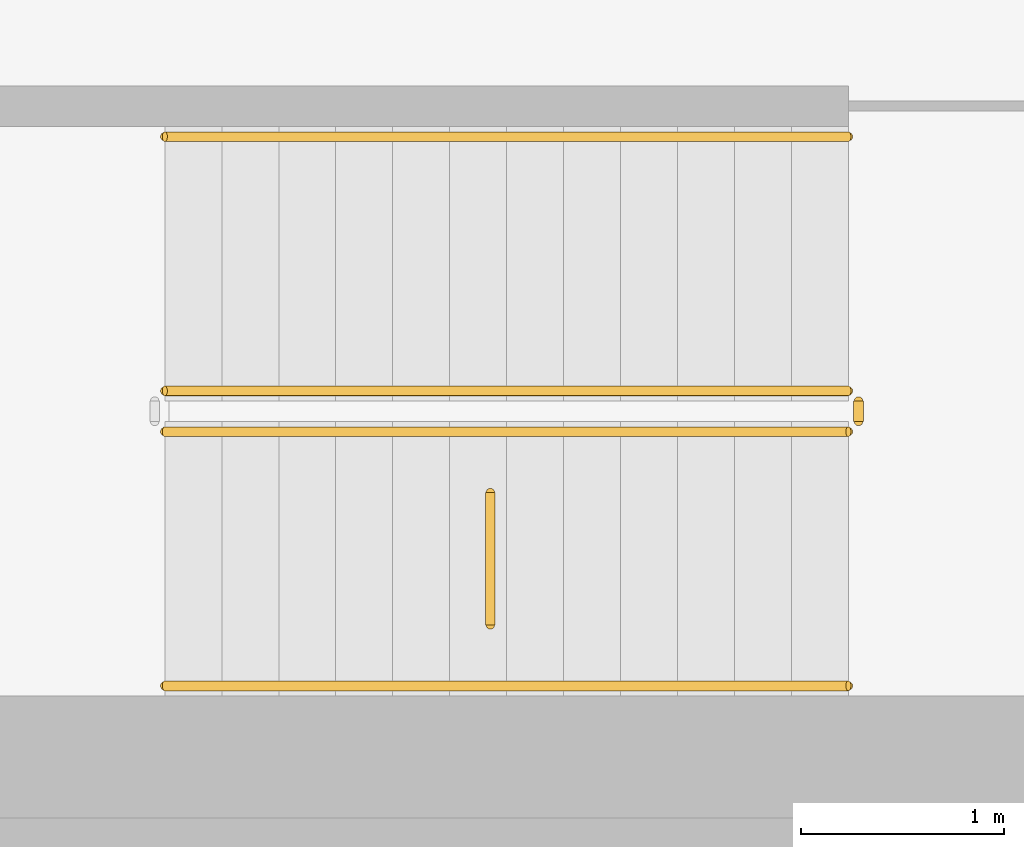
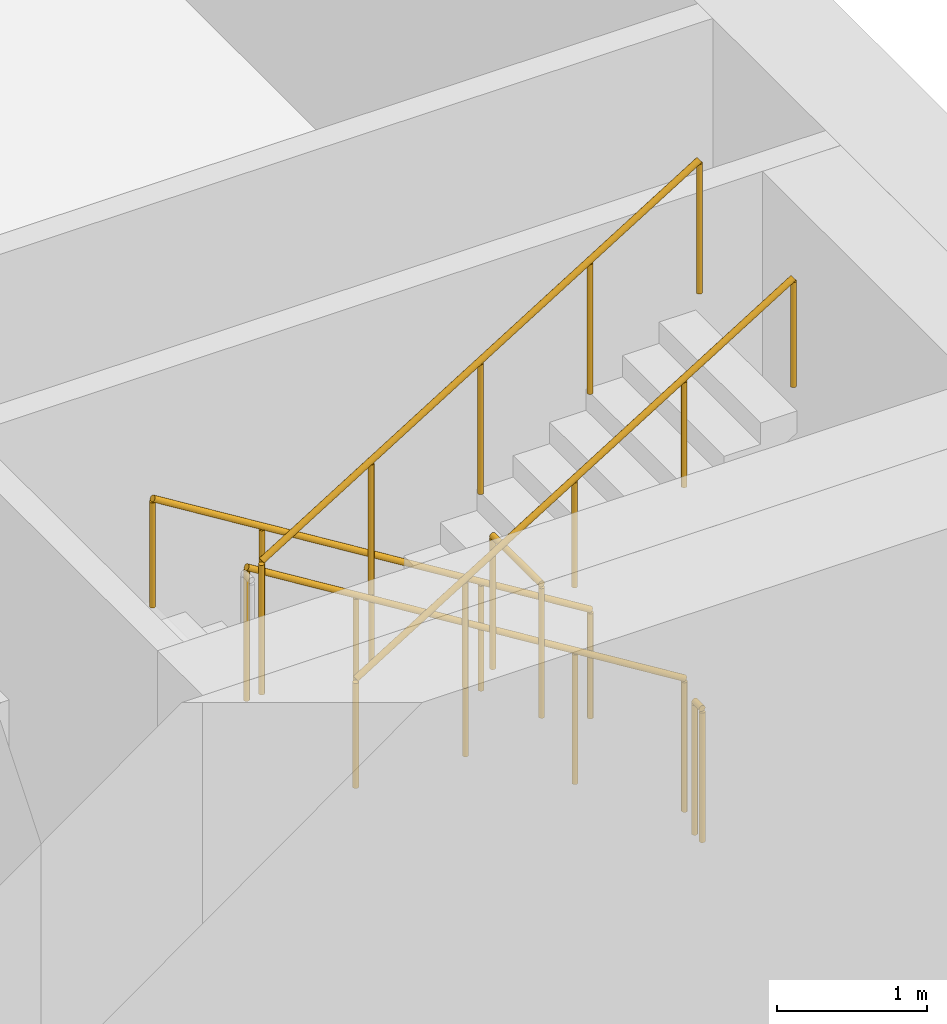
# One storey, part 21 of 25: 6 railings.
"""IFC4 building model written with IfcOpenShell, lengths in metres."""

from ifc_helpers import new_model, si_unit, direction, frame, origin, origin_2d, place, context, subcontext, project, spatial, circle, extrude, material, type_object, element, save


model = new_model("IFC4")

# Units and contexts
model_context = context("Model", 3, precision=1e-05, world=origin(), true_north=direction((0.0, 1.0)))
body_context = subcontext(model_context, "Body", "Model", "MODEL_VIEW")
ifc_project = project(units=[si_unit("LENGTHUNIT", "METRE"), si_unit("AREAUNIT", "SQUARE_METRE"), si_unit("VOLUMEUNIT", "CUBIC_METRE"), si_unit("PLANEANGLEUNIT", "RADIAN"), si_unit("MASSUNIT", "GRAM", prefix="KILO")], contexts=[model_context])

# Site, building, storey
site_placement = place(None, origin())
site = spatial("IfcSite", under=ifc_project, at=site_placement, CompositionType="ELEMENT")
building_placement = place(site_placement, origin())
building = spatial("IfcBuilding", under=site, at=building_placement, Name="Stone Belt Terrace Tower", CompositionType="ELEMENT")
storey_placement = place(building_placement, frame((0.0, 0.0, -13.5)))
storey = spatial("IfcBuildingStorey", under=building, at=storey_placement, Name="B3", CompositionType="ELEMENT", Elevation=-13.5)

# Railings
ifc_material_1 = material(Name="Structural steel C345", Category="steel")
railing_type_1 = type_object("IfcRailingType", Name="Car park guard 1100", PredefinedType="GUARDRAIL", material=ifc_material_1)
railing_1_placement = place(storey_placement, frame((30.75, -48.60009765625, 0.173095703125)))
element("IfcRailing", 1, at=railing_1_placement, inside=storey, type_object=railing_type_1, Name="B3 CS2 stair guard 1", PredefinedType="GUARDRAIL", context=body_context, shape_type="SweptSolid", body=[
    extrude(circle(Radius=0.02392578125, at=origin_2d()), frame((0.0, 0.0, 1.076171875), z_axis=(-0.850623216509, 0.0, 0.525775754039), x_axis=(0.0, -1.0, 0.0)), (0.0, 0.0, 1.0), 3.9501953125),
    extrude(circle(Radius=0.02099609375, at=origin_2d()), origin(), (0.0, 0.0, 1.0), 1.052001953125),
    extrude(circle(Radius=0.02099609375, at=origin_2d()), frame((-0.840087890625, 0.0, 0.519287109375)), (0.0, 0.0, 1.0), 1.052001953125),
    extrude(circle(Radius=0.02099609375, at=origin_2d()), frame((-1.68017578125, 0.0, 1.03857421875)), (0.0, 0.0, 1.0), 1.052001953125),
    extrude(circle(Radius=0.02099609375, at=origin_2d()), frame((-2.52001953125, 0.0, 1.5576171875)), (0.0, 0.0, 1.0), 1.052001953125),
    extrude(circle(Radius=0.02099609375, at=origin_2d()), frame((-3.360107421875, 0.0, 2.076904296875)), (0.0, 0.0, 1.0), 1.052001953125),
])
railing_2_placement = place(storey_placement, frame((27.389892578125, -48.800048828125, 2.423095703125)))
element("IfcRailing", 2, at=railing_2_placement, inside=storey, type_object=railing_type_1, Name="B3 CS2 stair guard 3", PredefinedType="GUARDRAIL", context=body_context, shape_type="SweptSolid", body=[
    extrude(circle(Radius=0.02392578125, at=origin_2d()), frame((0.0, 0.0, 1.076171875), z_axis=(0.850623216509, 0.0, 0.525775754039), x_axis=(0.0, 1.0, 0.0)), (0.0, 0.0, 1.0), 3.9501953125),
    extrude(circle(Radius=0.02099609375, at=origin_2d()), origin(), (0.0, 0.0, 1.0), 1.052001953125),
    extrude(circle(Radius=0.02099609375, at=origin_2d()), frame((0.840087890625, 0.0, 0.519287109375)), (0.0, 0.0, 1.0), 1.052001953125),
    extrude(circle(Radius=0.02099609375, at=origin_2d()), frame((1.68017578125, 0.0, 1.03857421875)), (0.0, 0.0, 1.0), 1.052001953125),
    extrude(circle(Radius=0.02099609375, at=origin_2d()), frame((2.52001953125, 0.0, 1.5576171875)), (0.0, 0.0, 1.0), 1.052001953125),
    extrude(circle(Radius=0.02099609375, at=origin_2d()), frame((3.360107421875, 0.0, 2.076904296875)), (0.0, 0.0, 1.0), 1.052001953125),
])
railing_3_placement = place(storey_placement, frame((30.800048828125, -48.64990234375, 0.0)))
element("IfcRailing", 3, at=railing_3_placement, inside=storey, type_object=railing_type_1, Name="B3 CS2 stair guard 4", PredefinedType="GUARDRAIL", context=body_context, shape_type="SweptSolid", body=[
    extrude(circle(Radius=0.02392578125, at=origin_2d()), frame((0.0, 0.0, 1.076171875), z_axis=(0.0, -1.0, 0.0), x_axis=(1.0, 0.0, 0.0)), (0.0, 0.0, 1.0), 0.10009765625),
    extrude(circle(Radius=0.02099609375, at=origin_2d()), origin(), (0.0, 0.0, 1.0), 1.052001953125),
    extrude(circle(Radius=0.02099609375, at=origin_2d()), frame((0.0, -0.10009765625, 0.0)), (0.0, 0.0, 1.0), 1.052001953125),
])
railing_4_placement = place(storey_placement, frame((28.989990234375, -49.75, 2.25)))
element("IfcRailing", 4, at=railing_4_placement, inside=storey, type_object=railing_type_1, Name="Car park stair landing guard", PredefinedType="GUARDRAIL", context=body_context, shape_type="SweptSolid", body=[
    extrude(circle(Radius=0.02392578125, at=origin_2d()), frame((0.0, 0.0, 1.076171875), z_axis=(0.0, 1.0, 0.0), x_axis=(-1.0, 0.0, 0.0)), (0.0, 0.0, 1.0), 0.64990234375),
    extrude(circle(Radius=0.02099609375, at=origin_2d()), origin(), (0.0, 0.0, 1.0), 1.052001953125),
    extrude(circle(Radius=0.02099609375, at=origin_2d()), frame((0.0, 0.64990234375, 0.0)), (0.0, 0.0, 1.0), 1.052001953125),
])
ifc_material_2 = material(Name="Stainless steel", Category="steel")
railing_type_2 = type_object("IfcRailingType", Name="Car park handrail 900", PredefinedType="HANDRAIL", material=ifc_material_2)
railing_5_placement = place(storey_placement, frame((30.75, -47.35009765625, 0.173095703125)))
element("IfcRailing", 5, at=railing_5_placement, inside=storey, type_object=railing_type_2, Name="B3 CS2 stair handrail 1", PredefinedType="HANDRAIL", context=body_context, shape_type="SweptSolid", body=[
    extrude(circle(Radius=0.02392578125, at=origin_2d()), frame((0.0, 0.0, 0.8759765625), z_axis=(-0.850623216509, 0.0, 0.525775754039), x_axis=(0.0, -1.0, 0.0)), (0.0, 0.0, 1.0), 3.9501953125),
    extrude(circle(Radius=0.02099609375, at=origin_2d()), origin(), (0.0, 0.0, 1.0), 0.851806640625),
    extrude(circle(Radius=0.02099609375, at=origin_2d()), frame((-0.840087890625, 0.0, 0.519287109375)), (0.0, 0.0, 1.0), 0.851806640625),
    extrude(circle(Radius=0.02099609375, at=origin_2d()), frame((-1.68017578125, 0.0, 1.03857421875)), (0.0, 0.0, 1.0), 0.851806640625),
    extrude(circle(Radius=0.02099609375, at=origin_2d()), frame((-2.52001953125, 0.0, 1.5576171875)), (0.0, 0.0, 1.0), 0.851806640625),
    extrude(circle(Radius=0.02099609375, at=origin_2d()), frame((-3.360107421875, 0.0, 2.076904296875)), (0.0, 0.0, 1.0), 0.851806640625),
])
railing_6_placement = place(storey_placement, frame((27.389892578125, -50.050048828125, 2.423095703125)))
element("IfcRailing", 6, at=railing_6_placement, inside=storey, type_object=railing_type_2, Name="B3 CS2 stair handrail 2", PredefinedType="HANDRAIL", context=body_context, shape_type="SweptSolid", body=[
    extrude(circle(Radius=0.02392578125, at=origin_2d()), frame((0.0, 0.0, 0.8759765625), z_axis=(0.850623216509, 0.0, 0.525775754039), x_axis=(0.0, 1.0, 0.0)), (0.0, 0.0, 1.0), 3.9501953125),
    extrude(circle(Radius=0.02099609375, at=origin_2d()), origin(), (0.0, 0.0, 1.0), 0.851806640625),
    extrude(circle(Radius=0.02099609375, at=origin_2d()), frame((0.840087890625, 0.0, 0.519287109375)), (0.0, 0.0, 1.0), 0.851806640625),
    extrude(circle(Radius=0.02099609375, at=origin_2d()), frame((1.68017578125, 0.0, 1.03857421875)), (0.0, 0.0, 1.0), 0.851806640625),
    extrude(circle(Radius=0.02099609375, at=origin_2d()), frame((2.52001953125, 0.0, 1.5576171875)), (0.0, 0.0, 1.0), 0.851806640625),
    extrude(circle(Radius=0.02099609375, at=origin_2d()), frame((3.360107421875, 0.0, 2.076904296875)), (0.0, 0.0, 1.0), 0.851806640625),
])

save(model, "model.ifc")
